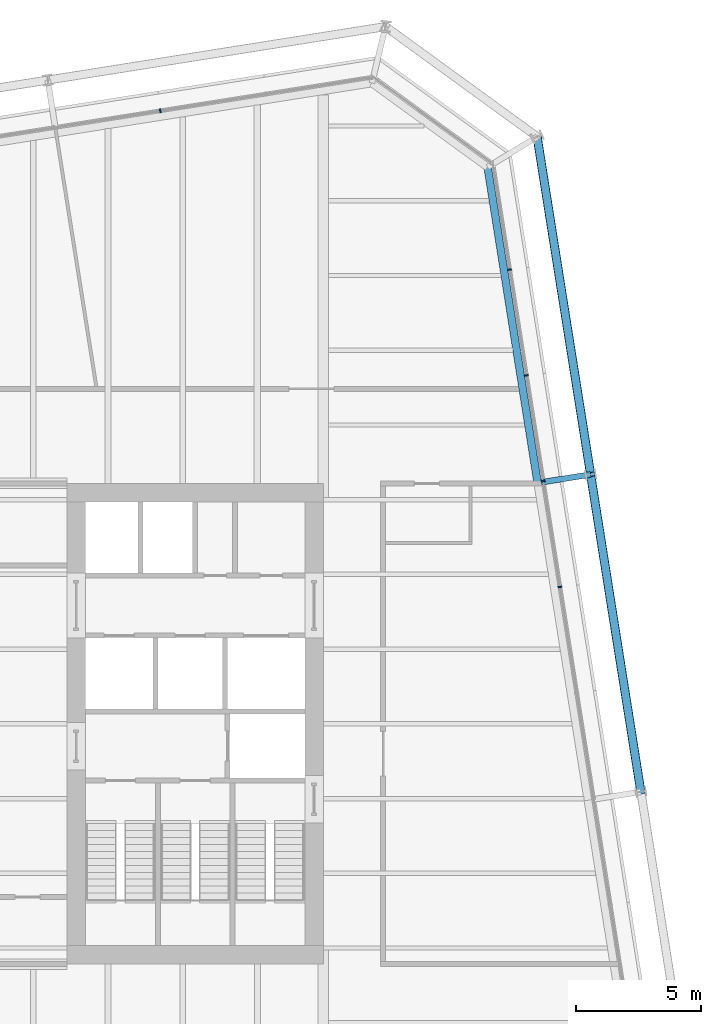
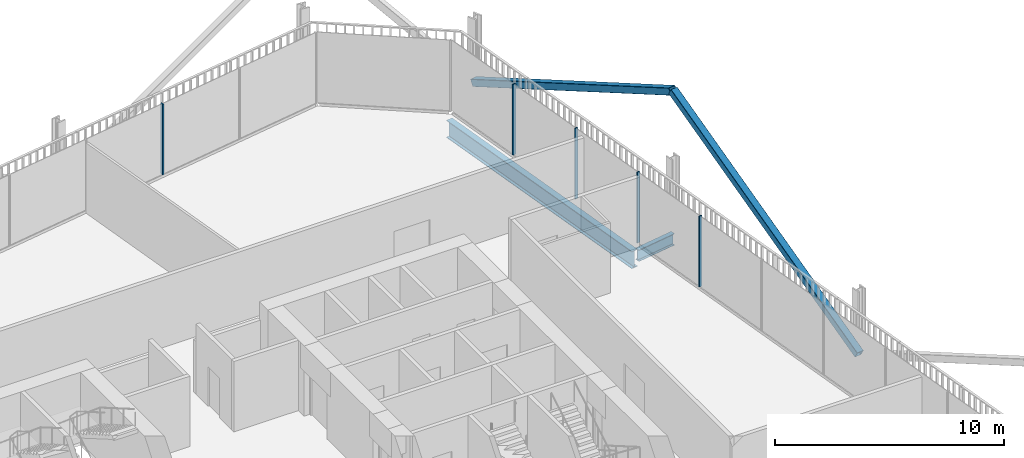
# One storey, part 15 of 22: 7 members, 2 beams, 2 elements without a shape of their own.
"""IFC4 building model written with IfcOpenShell, lengths in metres."""

from ifc_helpers import new_model, si_unit, direction, frame, origin, origin_2d, place, context, subcontext, project, spatial, rectangle, hollow_rectangle, i_section, extrude, material, layer, layer_set, material_profile, profile_set, type_object, element, aggregate, save


model = new_model("IFC4")

# Units and contexts
model_context = context("Model", 3, precision=1e-05, world=origin(), true_north=direction((0.0, 1.0)))
body_context = subcontext(model_context, "Body", "Model", "MODEL_VIEW")
ifc_project = project(units=[si_unit("LENGTHUNIT", "METRE"), si_unit("AREAUNIT", "SQUARE_METRE"), si_unit("VOLUMEUNIT", "CUBIC_METRE"), si_unit("PLANEANGLEUNIT", "RADIAN"), si_unit("MASSUNIT", "GRAM", prefix="KILO")], contexts=[model_context])

# Site, building, storey
site_placement = place(None, origin())
site = spatial("IfcSite", under=ifc_project, at=site_placement, CompositionType="ELEMENT")
building_placement = place(site_placement, origin())
building = spatial("IfcBuilding", under=site, at=building_placement, Name="Millrace Tower", CompositionType="ELEMENT")
storey_placement = place(building_placement, frame((0.0, 0.0, 145.10009765625)))
storey = spatial("IfcBuildingStorey", under=building, at=storey_placement, Name="L32", CompositionType="ELEMENT", Elevation=145.10009765625)

# Curtain wall, members
ifc_material_1 = material(Name="Aluminium and glass", Category="aluminium")
ifc_layer = layer(ifc_material_1, 0.14990234375)
ifc_layer_set = layer_set([ifc_layer], Name="Aluminium and glass")
curtain_wall_type = type_object("IfcCurtainWallType", Name="CW-1 office vision curtain wall", PredefinedType="NOTDEFINED", material=ifc_layer_set)
placement = place(storey_placement, origin())
curtain_wall_1 = element("IfcCurtainWall", 1, at=placement, inside=storey, type_object=curtain_wall_type, Name="Curtain wall C-F04 L32", PredefinedType="NOTDEFINED")
ifc_material_2 = material(Name="Aluminium", Category="aluminium")
ifc_material_profile_1 = material_profile(ifc_material_2, rectangle(XDim=0.06494140625, YDim=0.14990234375, at=origin_2d()))
ifc_profile_set_1 = profile_set([ifc_material_profile_1], Name="Aluminium")
member_type_1 = type_object("IfcMemberType", Name="CW-1 office vision curtain wall mullion", PredefinedType="MULLION", material=ifc_profile_set_1)
member_1_placement = place(storey_placement, frame((24.143310546875, 5.49365234375, 0.139892578125), z_axis=(0.0, 0.0, 1.0), x_axis=(-0.15643447328, 0.98768833929, 0.0)))
member_1 = element("IfcMember", 2, at=member_1_placement, type_object=member_type_1, Name="CW1 mullion C-F04.6", PredefinedType="MULLION", context=body_context, shape_type="SweptSolid", body=[
    extrude(rectangle(XDim=0.06494140625, YDim=0.14990234375, at=origin_2d()), origin(), (0.0, 0.0, 1.0), 3.760009765625),
])
member_2_placement = place(storey_placement, frame((23.470703125, 9.74072265625, 0.139892578125), z_axis=(0.0, 0.0, 1.0), x_axis=(-0.15643447328, 0.98768833929, 0.0)))
member_2 = element("IfcMember", 3, at=member_2_placement, type_object=member_type_1, Name="CW1 mullion C-F04.7", PredefinedType="MULLION", context=body_context, shape_type="SweptSolid", body=[
    extrude(rectangle(XDim=0.06494140625, YDim=0.14990234375, at=origin_2d()), origin(), (0.0, 0.0, 1.0), 3.760009765625),
])
member_3_placement = place(storey_placement, frame((22.798095703125, 13.98779296875, 0.139892578125), z_axis=(0.0, 0.0, 1.0), x_axis=(-0.15643447328, 0.98768833929, 0.0)))
member_3 = element("IfcMember", 4, at=member_3_placement, type_object=member_type_1, Name="CW1 mullion C-F04.8", PredefinedType="MULLION", context=body_context, shape_type="SweptSolid", body=[
    extrude(rectangle(XDim=0.06494140625, YDim=0.14990234375, at=origin_2d()), origin(), (0.0, 0.0, 1.0), 3.760009765625),
])
member_4_placement = place(storey_placement, frame((22.125244140625, 18.23486328125, 0.139892578125), z_axis=(0.0, 0.0, 1.0), x_axis=(-0.15643447328, 0.98768833929, 0.0)))
member_4 = element("IfcMember", 5, at=member_4_placement, type_object=member_type_1, Name="CW1 mullion C-F04.9", PredefinedType="MULLION", context=body_context, shape_type="SweptSolid", body=[
    extrude(rectangle(XDim=0.06494140625, YDim=0.14990234375, at=origin_2d()), origin(), (0.0, 0.0, 1.0), 3.760009765625),
])
aggregate(curtain_wall_1, [member_1, member_2, member_3, member_4])

# Curtain wall, member
curtain_wall_2 = element("IfcCurtainWall", 6, at=placement, inside=storey, type_object=curtain_wall_type, Name="Curtain wall C-F06 L32", PredefinedType="NOTDEFINED")
member_5_placement = place(storey_placement, frame((8.09765625, 24.611328125, 0.139892578125), z_axis=(0.0, 0.0, 1.0), x_axis=(-0.98768833929, -0.15643447328, 0.0)))
member_5 = element("IfcMember", 7, at=member_5_placement, type_object=member_type_1, Name="CW1 mullion C-F06.3", PredefinedType="MULLION", context=body_context, shape_type="SweptSolid", body=[
    extrude(rectangle(XDim=0.06494140625, YDim=0.14990234375, at=origin_2d()), origin(), (0.0, 0.0, 1.0), 3.760009765625),
])
aggregate(curtain_wall_2, [member_5])

# Members
ifc_material_3 = material(Name="Steel ASTM A500 Grade C", Category="steel")
ifc_material_profile_2 = material_profile(ifc_material_3, hollow_rectangle(XDim=0.355712890625, YDim=0.355712890625, WallThickness=0.015869140625, InnerFilletRadius=0.008056640625, OuterFilletRadius=0.02392578125, at=origin_2d()))
ifc_profile_set_2 = profile_set([ifc_material_profile_2], Name="Steel ASTM A500 Grade C")
member_type_2 = type_object("IfcMemberType", Name="Exoskeleton brace HSS14x14x5/8", PredefinedType="BRACE", material=ifc_profile_set_2)
member_6_placement = place(storey_placement, frame((27.39501953125, -2.7314453125, 0.39990234375), z_axis=(-0.137499609887, 0.868113917345, 0.476940335673), x_axis=(-0.987687659758, -0.156438763615, 0.0)))
element("IfcMember", 8, at=member_6_placement, inside=storey, type_object=member_type_2, Name="BRC-C-L32-07", PredefinedType="BRACE", context=body_context, shape_type="SweptSolid", body=[
    extrude(hollow_rectangle(XDim=0.355712890625, YDim=0.355712890625, WallThickness=0.015869140625, InnerFilletRadius=0.008056640625, OuterFilletRadius=0.02392578125, at=origin_2d()), origin(), (0.0, 0.0, 1.0), 14.677001953125),
])
member_7_placement = place(storey_placement, frame((23.2294921875, 23.569091796875, 0.39990234375), z_axis=(0.139355372932, -0.879906554943, 0.454251620363), x_axis=(0.987689751328, 0.156425557764, 0.0)))
element("IfcMember", 9, at=member_7_placement, inside=storey, type_object=member_type_2, Name="BRC-C-L32-08", PredefinedType="BRACE", context=body_context, shape_type="SweptSolid", body=[
    extrude(hollow_rectangle(XDim=0.355712890625, YDim=0.355712890625, WallThickness=0.015869140625, InnerFilletRadius=0.008056640625, OuterFilletRadius=0.02392578125, at=origin_2d()), origin(), (0.0, 0.0, 1.0), 15.409912109375),
])

# Beams
ifc_material_4 = material(Name="Steel ASTM A992 Grade 50", Category="steel")
ifc_material_profile_3 = material_profile(ifc_material_4, i_section(OverallWidth=0.23046875, OverallDepth=0.6171875, WebThickness=0.01318359375, FlangeThickness=0.022216796875, FilletRadius=0.012939453125, at=origin_2d()))
ifc_profile_set_3 = profile_set([ifc_material_profile_3], Name="Steel ASTM A992 Grade 50")
beam_type_1 = type_object("IfcBeamType", Name="Link beam W24x94", PredefinedType="BEAM", material=ifc_profile_set_3)
beam_1_placement = place(storey_placement, frame((23.401611328125, 9.69677734375, -0.46875), z_axis=(0.987678691416, 0.156495375404, 0.0), x_axis=(-0.156495375404, 0.987678691416, 0.0)))
element("IfcBeam", 10, at=beam_1_placement, inside=storey, type_object=beam_type_1, Name="LNK-C-L32-S1-10", PredefinedType="BEAM", context=body_context, shape_type="SweptSolid", body=[
    extrude(i_section(OverallWidth=0.23046875, OverallDepth=0.6171875, WebThickness=0.01318359375, FlangeThickness=0.022216796875, FilletRadius=0.012939453125, at=origin_2d()), origin(), (0.0, 0.0, 1.0), 2.0),
])
ifc_material_5 = material(Name="Steel ASTM A992 Grade 50", Category="steel")
ifc_material_profile_4 = material_profile(ifc_material_5, i_section(OverallWidth=0.307373046875, OverallDepth=0.927001953125, WebThickness=0.01953125, FlangeThickness=0.031982421875, FilletRadius=0.01904296875, at=origin_2d()))
ifc_profile_set_4 = profile_set([ifc_material_profile_4], Name="Steel ASTM A992 Grade 50")
beam_type_2 = type_object("IfcBeamType", Name="Ring beam medium span W36x194", PredefinedType="SPANDREL", material=ifc_profile_set_4)
beam_2_placement = place(storey_placement, frame((21.241943359375, 22.35107421875, -0.62353515625), z_axis=(0.156436246498, -0.987688058438, 0.0), x_axis=(0.987688058438, 0.156436246498, 0.0)))
element("IfcBeam", 11, at=beam_2_placement, inside=storey, type_object=beam_type_2, Name="RNG-C-L32-S1-09", PredefinedType="SPANDREL", context=body_context, shape_type="SweptSolid", body=[
    extrude(i_section(OverallWidth=0.307373046875, OverallDepth=0.927001953125, WebThickness=0.01953125, FlangeThickness=0.031982421875, FilletRadius=0.01904296875, at=origin_2d()), origin(), (0.0, 0.0, 1.0), 12.836181640625),
])

save(model, "model.ifc")
